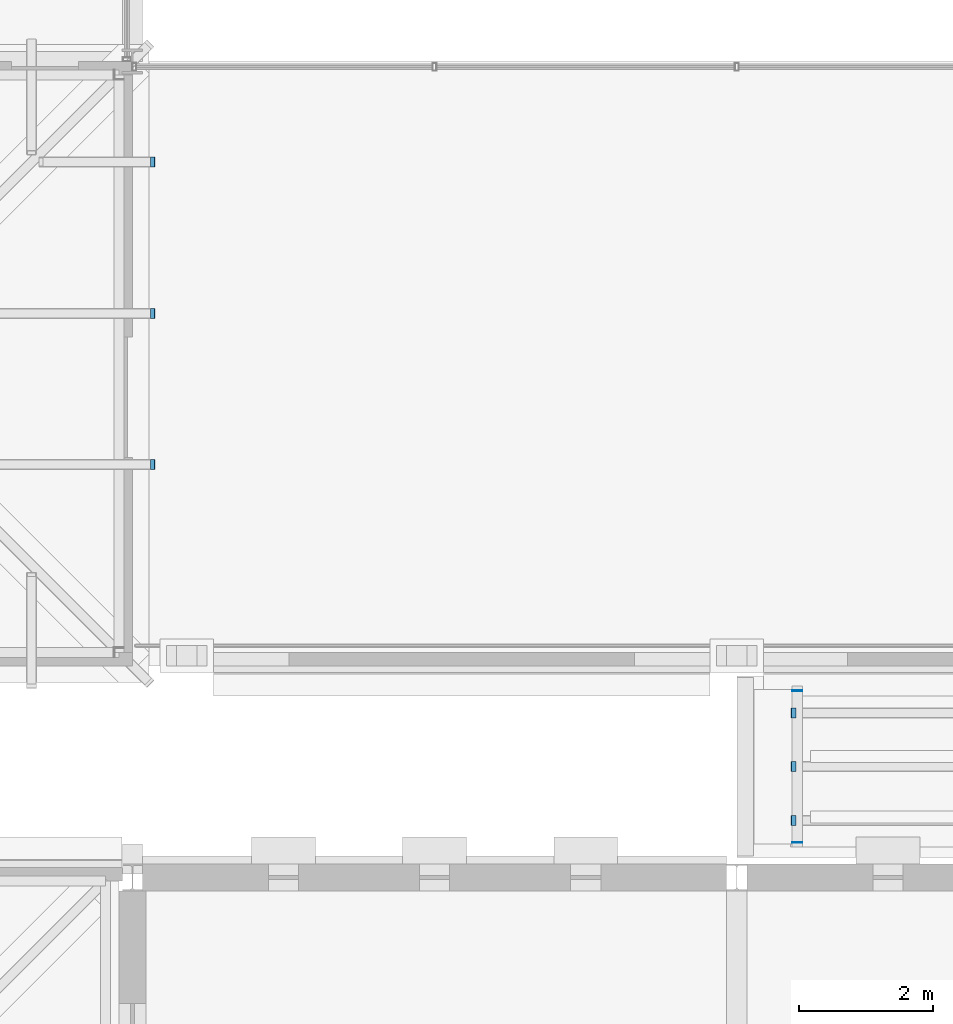
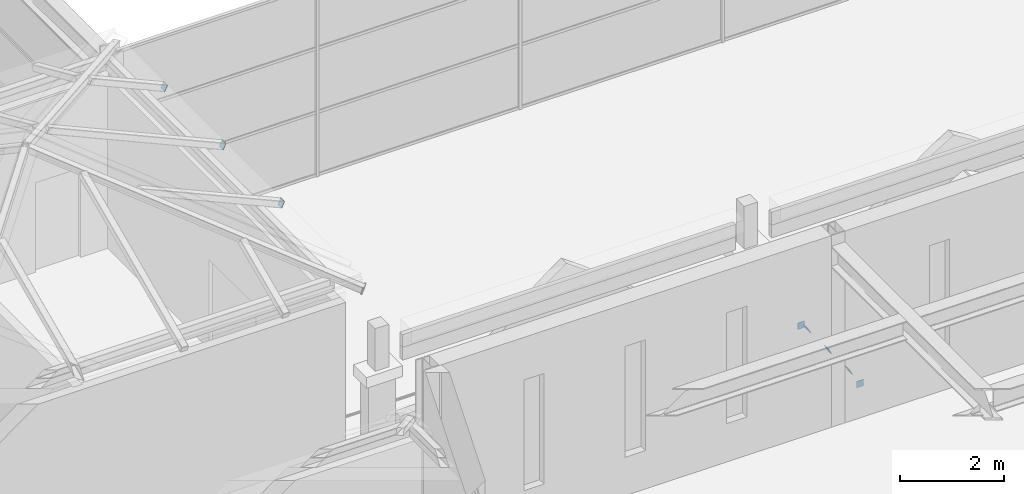
# One storey, part 108 of 149: 8 discrete accessories.
"""IFC4 building model written with IfcOpenShell, lengths in metres."""

from ifc_helpers import new_model, si_unit, direction, frame, origin, origin_2d, place, context, subcontext, project, spatial, rectangle, extrude, material, material_profile, profile_set, type_object, element, save


model = new_model("IFC4")

# Units and contexts
model_context = context("Model", 3, precision=1e-05, world=origin(), true_north=direction((0.0, 1.0)))
body_context = subcontext(model_context, "Body", "Model", "MODEL_VIEW")
ifc_project = project(units=[si_unit("LENGTHUNIT", "METRE"), si_unit("AREAUNIT", "SQUARE_METRE"), si_unit("VOLUMEUNIT", "CUBIC_METRE"), si_unit("PLANEANGLEUNIT", "RADIAN"), si_unit("MASSUNIT", "GRAM", prefix="KILO")], contexts=[model_context])

# Site, building, storey
site_placement = place(None, origin())
site = spatial("IfcSite", under=ifc_project, at=site_placement, CompositionType="ELEMENT")
building_placement = place(site_placement, origin())
building = spatial("IfcBuilding", under=site, at=building_placement, Name="Kallimachos Central Library", CompositionType="ELEMENT")
storey_placement = place(building_placement, frame((0.0, 0.0, 9.89990234375)))
storey = spatial("IfcBuildingStorey", under=building, at=storey_placement, Name="L02", CompositionType="ELEMENT", Elevation=9.89990234375)

# Discrete accessories
ifc_material = material(Name="Steel S355J2", Category="steel")
ifc_material_profile = material_profile(ifc_material, rectangle(XDim=0.14990234375, YDim=0.14990234375, at=origin_2d()), Name="End cap plate 10, 150x150")
ifc_profile_set = profile_set([ifc_material_profile], Name="Steel S355J2")
discrete_accessory_type = type_object("IfcDiscreteAccessoryType", Name="End cap plate 10, 150x150", PredefinedType="BRACKET", material=ifc_profile_set)
for number, where, z_axis, x_axis, name in (
    (1, (74.80908203125, 51.0, 4.405517578125), (-0.908676843963, 0.0, 0.417500171551), (0.0, -1.0, 0.0), "End cap plate"),
    (2, (74.80908203125, 53.25, 4.405517578125), (-0.908676843963, 0.0, 0.417500171551), (0.0, -1.0, 0.0), "End cap plate"),
    (3, (74.80908203125, 55.5, 4.405517578125), (-0.908676843963, 0.0, 0.417500171551), (0.0, -1.0, 0.0), "End cap plate"),
    (4, (84.39990234375, 45.364990234375, 0.22509765625), (0.0, 1.0, 0.0), (-1.0, 0.0, 0.0), "End cap plate"),
    (5, (84.39990234375, 47.625, 0.22509765625), (0.0, 1.0, 0.0), (-1.0, 0.0, 0.0), "End cap plate"),
):
    element("IfcDiscreteAccessory", number, at=place(storey_placement, frame(where, z_axis=z_axis, x_axis=x_axis)), inside=storey, type_object=discrete_accessory_type, Name=name, PredefinedType="BRACKET", context=body_context, shape_type="SweptSolid", body=[
        extrude(rectangle(XDim=0.14990234375, YDim=0.14990234375, at=origin_2d()), origin(), (0.0, 0.0, 1.0), 0.010009765625),
    ])
for number, where, z_axis, x_axis, name in (
    (6, (84.341064453125, 45.699951171875, 0.353759765625), (0.889567018144, 0.0, 0.456804684993), (0.0, 1.0, 0.0), "End cap plate"),
    (7, (84.341064453125, 46.5, 0.353759765625), (0.889567018144, 0.0, 0.456804684993), (0.0, 1.0, 0.0), "End cap plate"),
    (8, (84.341064453125, 47.300048828125, 0.353759765625), (0.889567018144, 0.0, 0.456804684993), (0.0, 1.0, 0.0), "End cap plate"),
):
    element("IfcDiscreteAccessory", number, at=place(storey_placement, frame(where, z_axis=z_axis, x_axis=x_axis)), inside=storey, type_object=discrete_accessory_type, Name=name, PredefinedType="BRACKET", context=body_context, shape_type="SweptSolid", body=[
        extrude(rectangle(XDim=0.14990234375, YDim=0.14990234375, at=origin_2d()), origin(), (0.0, 0.0, 1.0), 0.01025390625),
    ])

save(model, "model.ifc")
